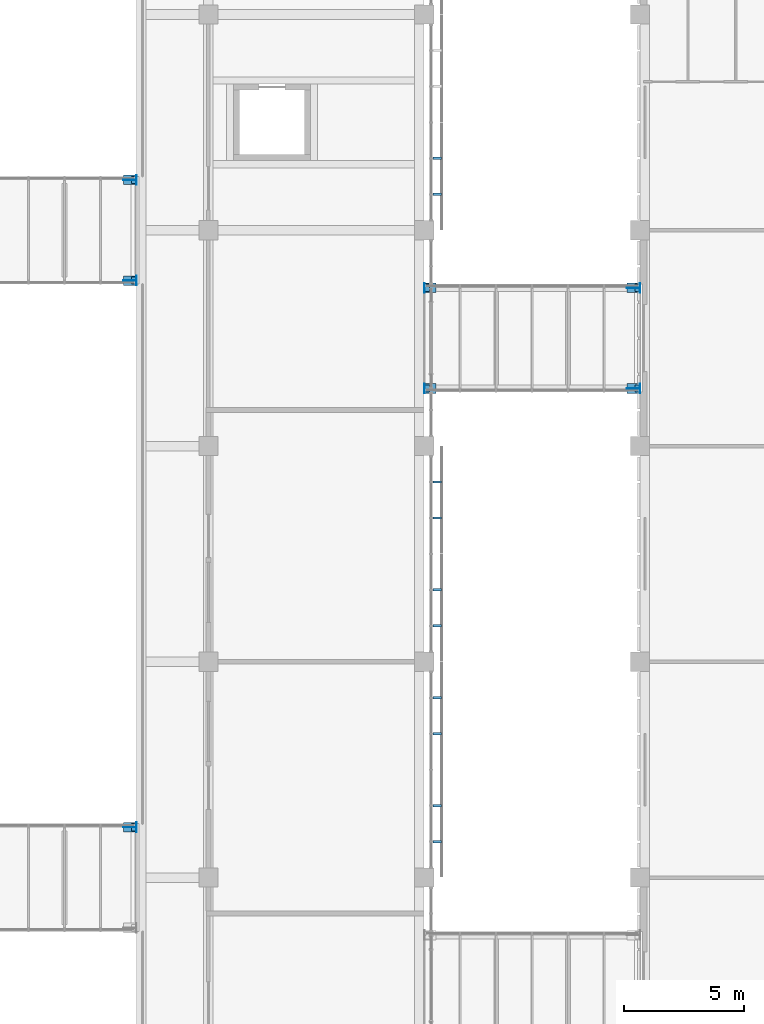
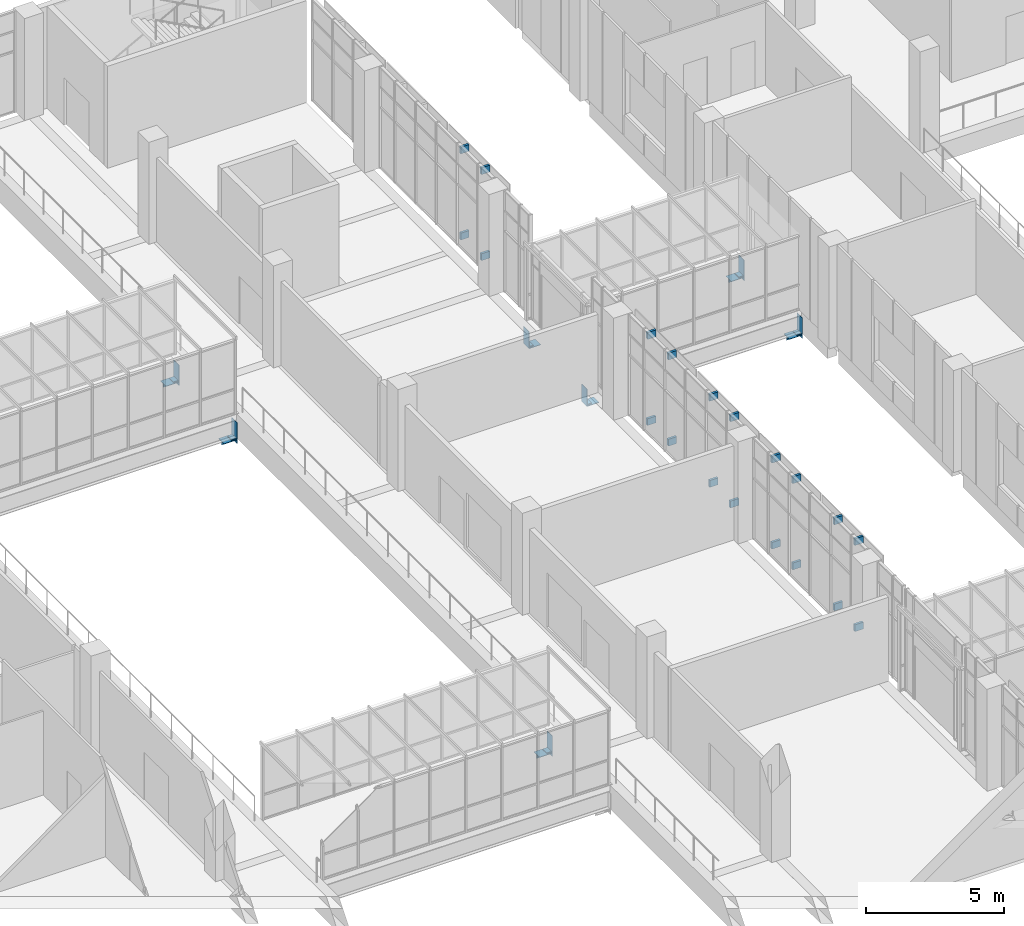
# One storey, part 76 of 88: 46 discrete accessories.
"""IFC4 building model written with IfcOpenShell, lengths in metres."""

import ifcopenshell
import ifcopenshell.guid

model = None  # the IFC model being written
_history = None  # IfcOwnerHistory: only IFC2X3 demands one
_inside = {}  # id of a spatial element -> (the spatial element, [elements in it])
_under = {}  # id of a project, library or spatial element -> (it, [spatial elements below it])
_declared = {}  # id of a project -> (the project, [libraries it declares])
_typed = {}  # id of a type object -> (the type object, [elements of that type])
_made_of = {}  # id of a material, layer set ... -> (it, [elements and type objects made of it])


def new_model(schema):
    """Start an empty IFC model of exactly this schema.

    Asked for "IFC4X3", IfcOpenShell would pick the latest addendum, in which some entities
    have other attributes; the version numbers below select the first issue.
    IFC2X3 requires an IfcOwnerHistory on every rooted entity: one is made here for all.
    """
    global model, _history
    if schema == "IFC4X3":
        model = ifcopenshell.file(schema_version=(4, 3, 0, 0))
    else:
        model = ifcopenshell.file(schema=schema)
    _inside.clear()
    _under.clear()
    _declared.clear()
    _typed.clear()
    _made_of.clear()
    _history = None
    if model.schema == "IFC2X3":
        org = make("IfcOrganization", Name="unknown")
        user = make(
            "IfcPersonAndOrganization",
            ThePerson=make("IfcPerson", FamilyName="unknown"),
            TheOrganization=org,
        )
        app = make(
            "IfcApplication",
            ApplicationDeveloper=org,
            Version="unknown",
            ApplicationFullName="unknown",
            ApplicationIdentifier="unknown",
        )
        _history = make(
            "IfcOwnerHistory",
            OwningUser=user,
            OwningApplication=app,
            ChangeAction="ADDED",
            CreationDate=0,
        )
    return model


def make(cls, **values):
    """One entity of the class cls with the attributes given. An attribute that is None is left unset."""
    return model.create_entity(
        cls, **{name: value for name, value in values.items() if value is not None}
    )


def rooted(cls, **values):
    """An entity with a GlobalId (a new one), such as an element, a storey or a relation."""
    return make(cls, GlobalId=ifcopenshell.guid.new(), OwnerHistory=_history, **values)


def si_unit(unit_type, name, prefix=None):
    """IfcSIUnit, for example si_unit("LENGTHUNIT", "METRE", prefix="MILLI")."""
    return make("IfcSIUnit", UnitType=unit_type, Prefix=prefix, Name=name)


def assignment(units):
    """IfcUnitAssignment: the units of a project."""
    return None if units is None else make("IfcUnitAssignment", Units=units)


def point(xyz):
    """IfcCartesianPoint."""
    return None if xyz is None else make("IfcCartesianPoint", Coordinates=xyz)


def direction(xyz):
    """IfcDirection."""
    return None if xyz is None else make("IfcDirection", DirectionRatios=xyz)


def frame(location, z_axis=None, x_axis=None):
    """IfcAxis2Placement3D, a coordinate frame: its origin and axes. An axis left out is left unset."""
    return make(
        "IfcAxis2Placement3D",
        Location=point(location),
        Axis=direction(z_axis),
        RefDirection=direction(x_axis),
    )


def frame_2d(location, x_axis=None):
    """IfcAxis2Placement2D, a coordinate frame in the plane: its origin and x axis."""
    return make(
        "IfcAxis2Placement2D", Location=point(location), RefDirection=direction(x_axis)
    )


def origin():
    """The frame at (0, 0, 0) with its axes left unset."""
    return frame((0.0, 0.0, 0.0))


def origin_2d():
    """The frame at (0, 0) in the plane with its x axis left unset."""
    return frame_2d((0.0, 0.0))


def place(relative_to, where):
    """IfcLocalPlacement: puts the frame where relative to a parent placement (None: the world)."""
    return make(
        "IfcLocalPlacement", PlacementRelTo=relative_to, RelativePlacement=where
    )


def context(
    kind, dimensions, precision=None, world=None, true_north=None, identifier=None
):
    """IfcGeometricRepresentationContext, for example the 3D "Model" context."""
    return make(
        "IfcGeometricRepresentationContext",
        ContextIdentifier=identifier,
        ContextType=kind,
        CoordinateSpaceDimension=dimensions,
        Precision=precision,
        WorldCoordinateSystem=world,
        TrueNorth=true_north,
    )


def subcontext(parent, identifier, kind, view, scale=None):
    """IfcGeometricRepresentationSubContext, for example "Body" below "Model"."""
    return make(
        "IfcGeometricRepresentationSubContext",
        ContextIdentifier=identifier,
        ContextType=kind,
        ParentContext=parent,
        TargetScale=scale,
        TargetView=view,
    )


def project(units=None, contexts=None):
    """IfcProject with its units and contexts."""
    return rooted(
        "IfcProject",
        Name="project",
        RepresentationContexts=contexts,
        UnitsInContext=assignment(units),
    )


def spatial(cls, under=None, at=None, **own):
    """A site, building, storey or space (cls), placed at a placement, below another one or the project."""
    s = rooted(cls, ObjectPlacement=at, **own)
    if under is not None:
        _under.setdefault(under.id(), (under, []))[1].append(s)
    return s


def profile(cls, at=None, kind="AREA", **sizes):
    """A parametric profile (cls). Its sizes go by their IFC names, for example OverallWidth=200.0."""
    return make(cls, ProfileType=kind, Position=at, **sizes)


def rectangle(**sizes):
    """IfcRectangleProfileDef."""
    return profile("IfcRectangleProfileDef", **sizes)


def extrude(swept, where, along, depth):
    """IfcExtrudedAreaSolid: the profile swept, set in the frame where, extruded along a direction by depth."""
    return make(
        "IfcExtrudedAreaSolid",
        SweptArea=swept,
        Position=where,
        ExtrudedDirection=direction(along),
        Depth=depth,
    )


def shape(context_of_items, identifier, shape_type, items):
    """IfcShapeRepresentation: the items that make up one representation, for example the "Body"."""
    return make(
        "IfcShapeRepresentation",
        ContextOfItems=context_of_items,
        RepresentationIdentifier=identifier,
        RepresentationType=shape_type,
        Items=items,
    )


def material(Name=None, Category=None):
    """IfcMaterial."""
    return make("IfcMaterial", Name=Name, Category=Category)


def layer(
    of_material, thickness, ventilated=None, Name=None, Category=None, Priority=None
):
    """IfcMaterialLayer: one layer of a wall or slab, of a material (None: an air gap)."""
    return make(
        "IfcMaterialLayer",
        Material=of_material,
        LayerThickness=thickness,
        IsVentilated=ventilated,
        Name=Name,
        Category=Category,
        Priority=Priority,
    )


def layer_set(layers, Name=None):
    """IfcMaterialLayerSet."""
    return make("IfcMaterialLayerSet", MaterialLayers=layers, LayerSetName=Name)


def made_of(thing, what):
    """Note that an element or type object is made of a material, layer set ...; save() writes the relation."""
    if what is not None:
        _made_of.setdefault(what.id(), (what, []))[1].append(thing)
    return thing


def type_object(cls, material=None, **own):
    """A type object (cls), such as IfcWallType, which elements share."""
    return made_of(rooted(cls, **own), material)


def element(
    cls,
    number,
    at=None,
    inside=None,
    cuts=None,
    type_object=None,
    material=None,
    context=None,
    identifier="Body",
    shape_type=None,
    held_by="IfcProductDefinitionShape",
    body=None,
    shapes=None,
    **own,
):
    """One element of the class cls, such as IfcWall. Its Tag is "e" and its number.

    at: its placement. inside: the storey or other place that contains it. cuts: it is an
    opening in that element (IfcRelVoidsElement). A single representation is given by context,
    identifier, shape_type and body (its items); several are given by shapes. held_by: the class
    of the entity that holds the representations. save() writes the other relations.
    """
    e = rooted(cls, Tag="e%d" % number, ObjectPlacement=at, **own)
    if body is not None:
        shapes = [shape(context, identifier, shape_type, body)]
    if shapes is not None:
        e.Representation = make(held_by, Representations=shapes)
    if inside is not None:
        _inside.setdefault(inside.id(), (inside, []))[1].append(e)
    if cuts is not None:
        rooted(
            "IfcRelVoidsElement", RelatingBuildingElement=cuts, RelatedOpeningElement=e
        )
    if type_object is not None:
        _typed.setdefault(type_object.id(), (type_object, []))[1].append(e)
    return made_of(e, material)


def aggregate(whole, parts):
    """IfcRelAggregates: a whole, such as a stair, and the parts it consists of."""
    return rooted("IfcRelAggregates", RelatingObject=whole, RelatedObjects=parts)


def save(model, path):
    """Write the relations noted so far, then the file.

    IfcRelAggregates (storeys below a building ...), IfcRelContainedInSpatialStructure (elements
    in a storey), IfcRelDefinesByType, IfcRelAssociatesMaterial and IfcRelDeclares: one each for
    every whole, place, type object, material and project.
    """
    for whole, parts in _under.values():
        aggregate(whole, parts)
    for where, things in _inside.values():
        rooted(
            "IfcRelContainedInSpatialStructure",
            RelatedElements=things,
            RelatingStructure=where,
        )
    for kind, things in _typed.values():
        rooted("IfcRelDefinesByType", RelatedObjects=things, RelatingType=kind)
    for what, things in _made_of.values():
        rooted("IfcRelAssociatesMaterial", RelatedObjects=things, RelatingMaterial=what)
    for by, libraries in _declared.values():
        rooted("IfcRelDeclares", RelatingContext=by, RelatedDefinitions=libraries)
    model.write(path)


model = new_model("IFC4")

# Units and contexts
model_context = context("Model", 3, precision=1e-05, world=origin(), true_north=direction((0.0, 1.0)))
body_context = subcontext(model_context, "Body", "Model", "MODEL_VIEW")
ifc_project = project(units=[si_unit("LENGTHUNIT", "METRE"), si_unit("AREAUNIT", "SQUARE_METRE"), si_unit("VOLUMEUNIT", "CUBIC_METRE"), si_unit("PLANEANGLEUNIT", "RADIAN"), si_unit("MASSUNIT", "GRAM", prefix="KILO")], contexts=[model_context])

# Site, building, storey
site_placement = place(None, origin())
site = spatial("IfcSite", under=ifc_project, at=site_placement, CompositionType="ELEMENT")
building_placement = place(site_placement, origin())
building = spatial("IfcBuilding", under=site, at=building_placement, Name="Guidao Yard Department Store", CompositionType="ELEMENT")
storey_placement = place(building_placement, frame((0.0, 0.0, 6.0)))
storey = spatial("IfcBuildingStorey", under=building, at=storey_placement, Name="L01", CompositionType="ELEMENT", Elevation=6.0)

# Discrete accessories
ifc_material_1 = material(Name="Steel Q355B", Category="steel")
discrete_accessory_type_1 = type_object("IfcDiscreteAccessoryType", Name="Bracket BR2 steel plate", PredefinedType="BRACKET", material=ifc_material_1)
for number, where, z_axis, x_axis, name in (
    (1, (108.534912109375, 64.5, 0.2001953125), (0.0, 0.0, 1.0), (0.0, -1.0, 0.0), "Screen bracket"),
    (2, (108.534912109375, 64.5, 4.0), (0.0, 0.0, 1.0), (0.0, -1.0, 0.0), "Screen bracket"),
    (3, (108.534912109375, 66.0, 0.2001953125), (0.0, 0.0, 1.0), (0.0, -1.0, 0.0), "Screen bracket"),
    (4, (108.534912109375, 66.0, 4.0), (0.0, 0.0, 1.0), (0.0, -1.0, 0.0), "Screen bracket"),
    (5, (108.534912109375, 69.0, 0.2001953125), (0.0, 0.0, 1.0), (0.0, -1.0, 0.0), "Screen bracket"),
    (6, (108.534912109375, 69.0, 4.0), (0.0, 0.0, 1.0), (0.0, -1.0, 0.0), "Screen bracket"),
    (7, (108.534912109375, 70.5, 0.2001953125), (0.0, 0.0, 1.0), (0.0, -1.0, 0.0), "Screen bracket"),
    (8, (108.534912109375, 70.5, 4.0), (0.0, 0.0, 1.0), (0.0, -1.0, 0.0), "Screen bracket"),
    (9, (108.534912109375, 73.5, 0.2001953125), (0.0, 0.0, 1.0), (0.0, -1.0, 0.0), "Screen bracket"),
    (10, (108.534912109375, 73.5, 4.0), (0.0, 0.0, 1.0), (0.0, -1.0, 0.0), "Screen bracket"),
    (11, (108.534912109375, 75.0, 0.2001953125), (0.0, 0.0, 1.0), (0.0, -1.0, 0.0), "Screen bracket"),
    (12, (108.534912109375, 75.0, 4.0), (0.0, 0.0, 1.0), (0.0, -1.0, 0.0), "Screen bracket"),
    (13, (108.534912109375, 78.0, 0.2001953125), (0.0, 0.0, 1.0), (0.0, -1.0, 0.0), "Screen bracket"),
    (14, (108.534912109375, 78.0, 4.0), (0.0, 0.0, 1.0), (0.0, -1.0, 0.0), "Screen bracket"),
    (15, (108.534912109375, 79.5, 0.2001953125), (0.0, 0.0, 1.0), (0.0, -1.0, 0.0), "Screen bracket"),
    (16, (108.534912109375, 79.5, 4.0), (0.0, 0.0, 1.0), (0.0, -1.0, 0.0), "Screen bracket"),
    (17, (108.534912109375, 91.5, 0.2001953125), (0.0, 0.0, 1.0), (0.0, -1.0, 0.0), "Screen bracket"),
    (18, (108.534912109375, 91.5, 4.0), (0.0, 0.0, 1.0), (0.0, -1.0, 0.0), "Screen bracket"),
    (19, (108.534912109375, 93.0, 0.2001953125), (0.0, 0.0, 1.0), (0.0, -1.0, 0.0), "Screen bracket"),
    (20, (108.534912109375, 93.0, 4.0), (0.0, 0.0, 1.0), (0.0, -1.0, 0.0), "Screen bracket"),
):
    element("IfcDiscreteAccessory", number, at=place(storey_placement, frame(where, z_axis=z_axis, x_axis=x_axis)), inside=storey, type_object=discrete_accessory_type_1, Name=name, PredefinedType="BRACKET", context=body_context, shape_type="SweptSolid", body=[
        extrude(rectangle(XDim=0.10009765625, YDim=0.35009765625, at=origin_2d()), origin(), (0.0, 0.0, 1.0), 0.300048828125),
    ])
ifc_material_2 = material(Name="Steel Q355B", Category="steel")
ifc_layer_1 = layer(ifc_material_2, 0.014892578125)
ifc_layer_set_1 = layer_set([ifc_layer_1], Name="Bridge girder back plate SB1 steel")
discrete_accessory_type_2 = type_object("IfcDiscreteAccessoryType", Name="Bridge girder back plate SB1 steel", PredefinedType="BRACKET", material=ifc_layer_set_1)
discrete_accessory_1_placement = place(storey_placement, frame((116.992431640625, 83.39990234375, -1.259765625), z_axis=(0.0, 0.0, 1.0), x_axis=(1.0, 0.0, 0.0)))
element("IfcDiscreteAccessory", 21, at=discrete_accessory_1_placement, inside=storey, type_object=discrete_accessory_type_2, Name="Bridge girder back plate BR07S S", PredefinedType="BRACKET", context=body_context, shape_type="SweptSolid", body=[
    extrude(rectangle(XDim=0.014892578125, YDim=0.39990234375, at=origin_2d()), origin(), (0.0, 0.0, 1.0), 0.909912109375),
])
discrete_accessory_2_placement = place(storey_placement, frame((108.007568359375, 83.39990234375, -1.10986328125), z_axis=(0.0, 0.0, 1.0), x_axis=(1.0, 0.0, 0.0)))
element("IfcDiscreteAccessory", 22, at=discrete_accessory_2_placement, inside=storey, type_object=discrete_accessory_type_2, Name="Bridge girder back plate BR07S F", PredefinedType="BRACKET", context=body_context, shape_type="SweptSolid", body=[
    extrude(rectangle(XDim=0.014892578125, YDim=0.39990234375, at=origin_2d()), origin(), (0.0, 0.0, 1.0), 0.760009765625),
])
discrete_accessory_3_placement = place(storey_placement, frame((116.992431640625, 87.60009765625, -1.259765625), z_axis=(0.0, 0.0, 1.0), x_axis=(1.0, 0.0, 0.0)))
element("IfcDiscreteAccessory", 23, at=discrete_accessory_3_placement, inside=storey, type_object=discrete_accessory_type_2, Name="Bridge girder back plate BR07N S", PredefinedType="BRACKET", context=body_context, shape_type="SweptSolid", body=[
    extrude(rectangle(XDim=0.014892578125, YDim=0.39990234375, at=origin_2d()), origin(), (0.0, 0.0, 1.0), 0.909912109375),
])
discrete_accessory_4_placement = place(storey_placement, frame((108.007568359375, 87.60009765625, -1.10986328125), z_axis=(0.0, 0.0, 1.0), x_axis=(1.0, 0.0, 0.0)))
element("IfcDiscreteAccessory", 24, at=discrete_accessory_4_placement, inside=storey, type_object=discrete_accessory_type_2, Name="Bridge girder back plate BR07N F", PredefinedType="BRACKET", context=body_context, shape_type="SweptSolid", body=[
    extrude(rectangle(XDim=0.014892578125, YDim=0.39990234375, at=origin_2d()), origin(), (0.0, 0.0, 1.0), 0.760009765625),
])
for number, where, z_axis, x_axis, name in (
    (25, (95.992431640625, 65.10009765625, -1.259765625), (0.0, 0.0, 1.0), (1.0, 0.0, 0.0), "Bridge girder back plate BR09N S"),
    (26, (95.992431640625, 87.89990234375, -1.259765625), (0.0, 0.0, 1.0), (1.0, 0.0, 0.0), "Bridge girder back plate BR10S S"),
    (27, (95.992431640625, 92.10009765625, -1.259765625), (0.0, 0.0, 1.0), (1.0, 0.0, 0.0), "Bridge girder back plate BR10N S"),
):
    element("IfcDiscreteAccessory", number, at=place(storey_placement, frame(where, z_axis=z_axis, x_axis=x_axis)), inside=storey, type_object=discrete_accessory_type_2, Name=name, PredefinedType="BRACKET", context=body_context, shape_type="SweptSolid", body=[
        extrude(rectangle(XDim=0.014892578125, YDim=0.39990234375, at=origin_2d()), origin(), (0.0, 0.0, 1.0), 0.909912109375),
    ])
ifc_material_3 = material(Name="Steel Q355B", Category="steel")
ifc_layer_2 = layer(ifc_material_3, 0.0400390625)
ifc_layer_set_2 = layer_set([ifc_layer_2], Name="Bridge girder pinned bearing BP1 steel")
discrete_accessory_type_3 = type_object("IfcDiscreteAccessoryType", Name="Bridge girder pinned bearing BP1 steel", PredefinedType="SHOE", material=ifc_layer_set_2)
for number, where, z_axis, x_axis, name in (
    (28, (108.114990234375, 83.39990234375, -1.090087890625), (0.0, 0.0, 1.0), (1.0, 0.0, 0.0), "Bridge girder pinned bearing BR07S"),
    (29, (108.114990234375, 87.60009765625, -1.090087890625), (0.0, 0.0, 1.0), (1.0, 0.0, 0.0), "Bridge girder pinned bearing BR07N"),
):
    element("IfcDiscreteAccessory", number, at=place(storey_placement, frame(where, z_axis=z_axis, x_axis=x_axis)), inside=storey, type_object=discrete_accessory_type_3, Name=name, PredefinedType="SHOE", context=body_context, shape_type="SweptSolid", body=[
        extrude(rectangle(XDim=0.199951171875, YDim=0.300048828125, at=origin_2d()), origin(), (0.0, 0.0, 1.0), 0.0400390625),
    ])
ifc_material_4 = material(Name="Steel Q355B", Category="steel")
ifc_layer_3 = layer(ifc_material_4, 0.02001953125)
ifc_layer_set_3 = layer_set([ifc_layer_3], Name="Bridge girder seat plate SP1 steel 500")
discrete_accessory_type_4 = type_object("IfcDiscreteAccessoryType", Name="Bridge girder seat plate SP1 steel 500", PredefinedType="BRACKET", material=ifc_layer_set_3)
for number, where, z_axis, x_axis, name in (
    (30, (108.257568359375, 83.39990234375, -1.110107421875), (0.0, 0.0, 1.0), (1.0, 0.0, 0.0), "Bridge girder seat plate BR07S F"),
    (31, (108.257568359375, 87.60009765625, -1.110107421875), (0.0, 0.0, 1.0), (1.0, 0.0, 0.0), "Bridge girder seat plate BR07N F"),
):
    element("IfcDiscreteAccessory", number, at=place(storey_placement, frame(where, z_axis=z_axis, x_axis=x_axis)), inside=storey, type_object=discrete_accessory_type_4, Name=name, PredefinedType="BRACKET", context=body_context, shape_type="SweptSolid", body=[
        extrude(rectangle(XDim=0.485107421875, YDim=0.39990234375, at=origin_2d()), origin(), (0.0, 0.0, 1.0), 0.02001953125),
    ])
ifc_material_5 = material(Name="Steel Q355B", Category="steel")
ifc_layer_4 = layer(ifc_material_5, 0.02001953125)
ifc_layer_set_4 = layer_set([ifc_layer_4], Name="Bridge girder seat plate SP1 steel 550")
discrete_accessory_type_5 = type_object("IfcDiscreteAccessoryType", Name="Bridge girder seat plate SP1 steel 550", PredefinedType="BRACKET", material=ifc_layer_set_4)
for number, where, z_axis, x_axis, name in (
    (32, (116.717529296875, 83.39990234375, -1.110107421875), (0.0, 0.0, 1.0), (1.0, 0.0, 0.0), "Bridge girder seat plate BR07S S"),
    (33, (116.717529296875, 87.60009765625, -1.110107421875), (0.0, 0.0, 1.0), (1.0, 0.0, 0.0), "Bridge girder seat plate BR07N S"),
    (34, (95.717529296875, 65.10009765625, -1.110107421875), (0.0, 0.0, 1.0), (1.0, 0.0, 0.0), "Bridge girder seat plate BR09N S"),
    (35, (95.717529296875, 87.89990234375, -1.110107421875), (0.0, 0.0, 1.0), (1.0, 0.0, 0.0), "Bridge girder seat plate BR10S S"),
    (36, (95.717529296875, 92.10009765625, -1.110107421875), (0.0, 0.0, 1.0), (1.0, 0.0, 0.0), "Bridge girder seat plate BR10N S"),
):
    element("IfcDiscreteAccessory", number, at=place(storey_placement, frame(where, z_axis=z_axis, x_axis=x_axis)), inside=storey, type_object=discrete_accessory_type_5, Name=name, PredefinedType="BRACKET", context=body_context, shape_type="SweptSolid", body=[
        extrude(rectangle(XDim=0.534912109375, YDim=0.39990234375, at=origin_2d()), origin(), (0.0, 0.0, 1.0), 0.02001953125),
    ])
ifc_material_6 = material(Name="Steel Q355B", Category="steel")
ifc_layer_5 = layer(ifc_material_6, 0.01611328125)
ifc_layer_set_5 = layer_set([ifc_layer_5], Name="Bridge girder seat rib SR1 steel 16")
discrete_accessory_type_6 = type_object("IfcDiscreteAccessoryType", Name="Bridge girder seat rib SR1 steel 16", PredefinedType="BRACKET", material=ifc_layer_set_5)
for number, where, z_axis, x_axis, name in (
    (37, (116.7099609375, 83.39990234375, -1.260009765625), (0.0, 0.0, 1.0), (1.0, 0.0, 0.0), "Bridge girder seat rib BR07S S"),
    (38, (116.7099609375, 87.60009765625, -1.260009765625), (0.0, 0.0, 1.0), (1.0, 0.0, 0.0), "Bridge girder seat rib BR07N S"),
    (39, (95.7099609375, 65.10009765625, -1.260009765625), (0.0, 0.0, 1.0), (1.0, 0.0, 0.0), "Bridge girder seat rib BR09N S"),
    (40, (95.7099609375, 87.89990234375, -1.260009765625), (0.0, 0.0, 1.0), (1.0, 0.0, 0.0), "Bridge girder seat rib BR10S S"),
    (41, (95.7099609375, 92.10009765625, -1.260009765625), (0.0, 0.0, 1.0), (1.0, 0.0, 0.0), "Bridge girder seat rib BR10N S"),
):
    element("IfcDiscreteAccessory", number, at=place(storey_placement, frame(where, z_axis=z_axis, x_axis=x_axis)), inside=storey, type_object=discrete_accessory_type_6, Name=name, PredefinedType="BRACKET", context=body_context, shape_type="SweptSolid", body=[
        extrude(rectangle(XDim=0.52001953125, YDim=0.01611328125, at=origin_2d()), origin(), (0.0, 0.0, 1.0), 0.14990234375),
    ])
ifc_material_7 = material(Name="Steel Q355B", Category="steel")
ifc_layer_6 = layer(ifc_material_7, 0.0400390625)
ifc_layer_set_6 = layer_set([ifc_layer_6], Name="Bridge girder sliding bearing BS1 PTFE on steel")
discrete_accessory_type_7 = type_object("IfcDiscreteAccessoryType", Name="Bridge girder sliding bearing BS1 PTFE on steel", PredefinedType="SHOE", material=ifc_layer_set_6)
for number, where, z_axis, x_axis, name in (
    (42, (116.885009765625, 83.39990234375, -1.090087890625), (0.0, 0.0, 1.0), (1.0, 0.0, 0.0), "Bridge girder sliding bearing BR07S"),
    (43, (116.885009765625, 87.60009765625, -1.090087890625), (0.0, 0.0, 1.0), (1.0, 0.0, 0.0), "Bridge girder sliding bearing BR07N"),
    (44, (95.885009765625, 65.10009765625, -1.090087890625), (0.0, 0.0, 1.0), (1.0, 0.0, 0.0), "Bridge girder sliding bearing BR09N"),
    (45, (95.885009765625, 87.89990234375, -1.090087890625), (0.0, 0.0, 1.0), (1.0, 0.0, 0.0), "Bridge girder sliding bearing BR10S"),
    (46, (95.885009765625, 92.10009765625, -1.090087890625), (0.0, 0.0, 1.0), (1.0, 0.0, 0.0), "Bridge girder sliding bearing BR10N"),
):
    element("IfcDiscreteAccessory", number, at=place(storey_placement, frame(where, z_axis=z_axis, x_axis=x_axis)), inside=storey, type_object=discrete_accessory_type_7, Name=name, PredefinedType="SHOE", context=body_context, shape_type="SweptSolid", body=[
        extrude(rectangle(XDim=0.199951171875, YDim=0.300048828125, at=origin_2d()), origin(), (0.0, 0.0, 1.0), 0.0400390625),
    ])

save(model, "model.ifc")
